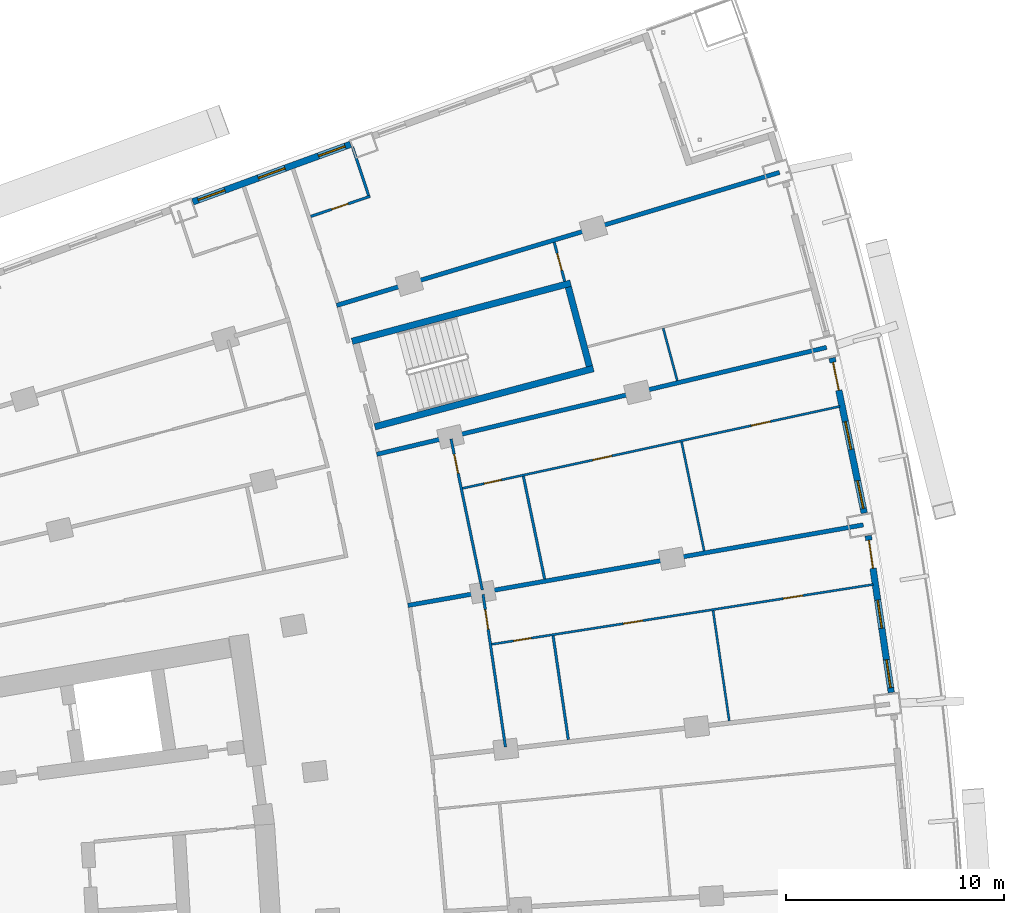
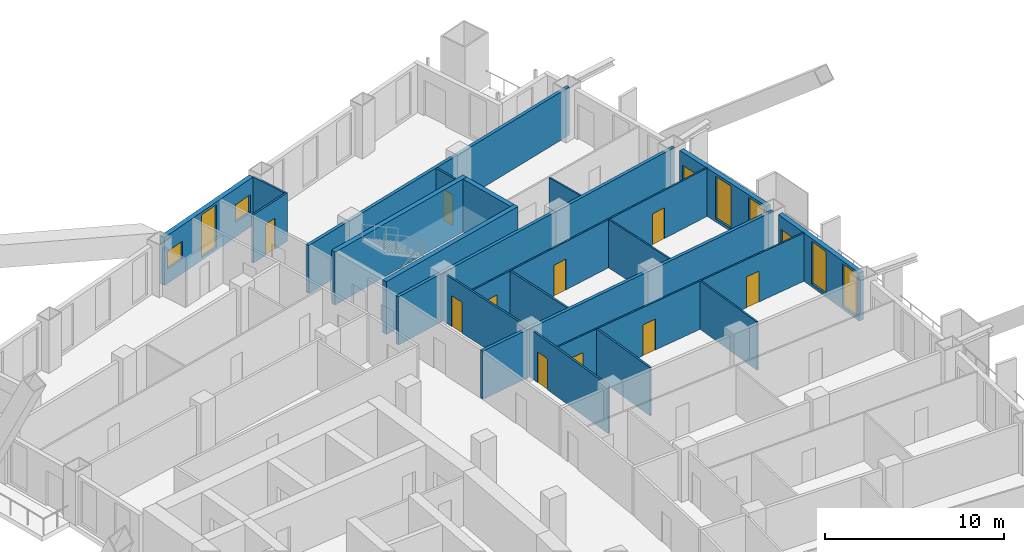
# One storey, part 20 of 25: 21 walls, 12 doors, 7 windows, 19 openings.
"""IFC4 building model written with IfcOpenShell, lengths in metres."""

from ifc_helpers import new_model, si_unit, direction, frame, frame_2d, origin, place, context, subcontext, project, spatial, rectangle, extrude, material, layer, layer_set, type_object, element, fill, save


model = new_model("IFC4")

# Units and contexts
model_context = context("Model", 3, precision=1e-05, world=origin(), true_north=direction((0.0, 1.0)))
body_context = subcontext(model_context, "Body", "Model", "MODEL_VIEW")
ifc_project = project(units=[si_unit("LENGTHUNIT", "METRE"), si_unit("AREAUNIT", "SQUARE_METRE"), si_unit("VOLUMEUNIT", "CUBIC_METRE"), si_unit("PLANEANGLEUNIT", "RADIAN"), si_unit("MASSUNIT", "GRAM", prefix="KILO")], contexts=[model_context])

# Site, building, storey
site_placement = place(None, origin())
site = spatial("IfcSite", under=ifc_project, at=site_placement, CompositionType="ELEMENT")
building_placement = place(site_placement, origin())
building = spatial("IfcBuilding", under=site, at=building_placement, Name="Alderwake Tower", CompositionType="ELEMENT")
storey_placement = place(building_placement, frame((0.0, 0.0, 64.39990234375)))
storey = spatial("IfcBuildingStorey", under=building, at=storey_placement, Name="L15", CompositionType="ELEMENT", Elevation=64.39990234375)

# Walls
ifc_material_1 = material(Name="Concrete C70/85", Category="concrete")
ifc_layer_1 = layer(ifc_material_1, 0.300048828125)
ifc_layer_set_1 = layer_set([ifc_layer_1], Name="Core wall stair enclosure 300 C70-85")
wall_type_1 = type_object("IfcWallType", Name="Core wall stair enclosure 300 C70-85", PredefinedType="SHEAR", material=ifc_layer_set_1)
for number, where, z_axis, x_axis, name in (
    (1, (36.71142578125, 94.182373046875, 0.0), (0.0, 0.0, 1.0), (0.966309214305, 0.257383958996, 0.0), "Core wall CW.082"),
    (2, (37.75390625, 90.268798828125, 0.0), (0.0, 0.0, 1.0), (0.966309214305, 0.257383958996, 0.0), "Core wall CW.084"),
):
    element("IfcWall", number, at=place(storey_placement, frame(where, z_axis=z_axis, x_axis=x_axis)), inside=storey, type_object=wall_type_1, Name=name, PredefinedType="SHEAR", context=body_context, shape_type="SweptSolid", body=[
        extrude(rectangle(XDim=10.360107421875, YDim=0.300048828125, at=frame_2d((5.18017578125, 0.0))), origin(), (0.0, 0.0, 1.0), 3.60009765625),
    ])
wall_1_placement = place(storey_placement, frame((47.581298828125, 93.041748046875, 0.0), z_axis=(0.0, 0.0, 1.0), x_axis=(-0.257366821694, 0.966313778796, 0.0)))
element("IfcWall", 3, at=wall_1_placement, inside=storey, type_object=wall_type_1, Name="Core wall CW.081", PredefinedType="SHEAR", context=body_context, shape_type="SweptSolid", body=[
    extrude(rectangle(XDim=3.749755859375, YDim=0.300048828125, at=frame_2d((1.875, 0.0))), origin(), (0.0, 0.0, 1.0), 3.60009765625),
])

# Wall, openings, door, windows
ifc_material_2 = material(Name="Precast concrete C50/60 spandrel panel", Category="concrete")
ifc_layer_2 = layer(ifc_material_2, 0.300048828125)
ifc_layer_set_2 = layer_set([ifc_layer_2], Name="External wall EW1 Precast concrete C50/60 spandrel")
wall_type_2 = type_object("IfcWallType", Name="External wall EW1 Precast concrete C50/60 spandrel", PredefinedType="SOLIDWALL", material=ifc_layer_set_2)
wall_2_placement = place(storey_placement, frame((61.405517578125, 78.1005859375, 0.0), z_axis=(0.0, 0.0, 1.0), x_axis=(-0.145323578953, 0.989384180892, 0.0)))
wall_2 = element("IfcWall", 4, at=wall_2_placement, inside=storey, type_object=wall_type_2, Name="External wall 19", PredefinedType="SOLIDWALL", context=body_context, shape_type="SweptSolid", body=[
    extrude(rectangle(XDim=7.25927734375, YDim=0.300048828125, at=frame_2d((3.629638671875, 0.0))), origin(), (0.0, 0.0, 1.0), 3.280029296875),
])
opening_1_placement = place(wall_2_placement, frame((0.215087890625, 0.0, 0.199951171875)))
opening_1 = element("IfcOpeningElement", 5, at=opening_1_placement, cuts=wall_2, Name="Opening W1", PredefinedType="OPENING", context=body_context, shape_type="SweptSolid", body=[
    extrude(rectangle(XDim=1.300048828125, YDim=2.89990234375, at=frame_2d((0.64990234375, 1.449951171875))), frame((0.0, 0.159912109375, 0.0), z_axis=(0.0, -1.0, 0.0), x_axis=(1.0, 0.0, 0.0)), (0.0, 0.0, 1.0), 0.320068359375),
])
opening_2_placement = place(wall_2_placement, frame((2.9794921875, 0.0, 0.199951171875)))
opening_2 = element("IfcOpeningElement", 6, at=opening_2_placement, cuts=wall_2, Name="Opening W1", PredefinedType="OPENING", context=body_context, shape_type="SweptSolid", body=[
    extrude(rectangle(XDim=1.300048828125, YDim=2.89990234375, at=frame_2d((0.64990234375, 1.449951171875))), frame((0.0, 0.159912109375, 0.0), z_axis=(0.0, -1.0, 0.0), x_axis=(1.0, 0.0, 0.0)), (0.0, 0.0, 1.0), 0.320068359375),
])
opening_3_placement = place(wall_2_placement, frame((5.744140625, 0.0, 0.0)))
opening_3 = element("IfcOpeningElement", 7, at=opening_3_placement, cuts=wall_2, Name="Opening D10", PredefinedType="OPENING", context=body_context, shape_type="SweptSolid", body=[
    extrude(rectangle(XDim=1.300048828125, YDim=2.39990234375, at=frame_2d((0.64990234375, 1.199951171875))), frame((0.0, 0.159912109375, 0.0), z_axis=(0.0, -1.0, 0.0), x_axis=(1.0, 0.0, 0.0)), (0.0, 0.0, 1.0), 0.320068359375),
])
ifc_material_3 = material(Name="Bronze tinted glass in aluminium frame", Category="aluminium")
door_type_1 = type_object("IfcDoorType", Name="Balcony door BD sliding", OperationType="SLIDING_TO_LEFT", PredefinedType="DOOR", material=ifc_material_3)
door_1_placement = place(opening_3_placement, origin())
door_1 = element("IfcDoor", 8, at=door_1_placement, inside=storey, type_object=door_type_1, Name="Door D10", OperationType="SLIDING_TO_LEFT", OverallHeight=2.39990234375, OverallWidth=1.300048828125, PredefinedType="DOOR", context=body_context, shape_type="SweptSolid", body=[
    extrude(rectangle(XDim=1.300048828125, YDim=2.39990234375, at=frame_2d((0.64990234375, 1.199951171875))), frame((0.0, 0.02490234375, 0.0), z_axis=(0.0, -1.0, 0.0), x_axis=(1.0, 0.0, 0.0)), (0.0, 0.0, 1.0), 0.050048828125),
])
fill(opening_3, door_1)
ifc_material_4 = material(Name="Bronze tinted glass in aluminium frame", Category="aluminium")
window_type_1 = type_object("IfcWindowType", Name="Window W1 tall fixed and vent", PartitioningType="DOUBLE_PANEL_VERTICAL", PredefinedType="WINDOW", material=ifc_material_4)
window_1_placement = place(opening_1_placement, origin())
window_1 = element("IfcWindow", 9, at=window_1_placement, inside=storey, type_object=window_type_1, Name="Window W1 tall fixed and vent", OverallHeight=2.89990234375, OverallWidth=1.300048828125, PartitioningType="DOUBLE_PANEL_VERTICAL", PredefinedType="WINDOW", context=body_context, shape_type="SweptSolid", body=[
    extrude(rectangle(XDim=1.300048828125, YDim=2.89990234375, at=frame_2d((0.64990234375, 1.449951171875))), frame((0.0, 0.030029296875, 0.0), z_axis=(0.0, -1.0, 0.0), x_axis=(1.0, 0.0, 0.0)), (0.0, 0.0, 1.0), 0.06005859375),
])
fill(opening_1, window_1)
window_2_placement = place(opening_2_placement, origin())
window_2 = element("IfcWindow", 10, at=window_2_placement, inside=storey, type_object=window_type_1, Name="Window W1 tall fixed and vent", OverallHeight=2.89990234375, OverallWidth=1.300048828125, PartitioningType="DOUBLE_PANEL_VERTICAL", PredefinedType="WINDOW", context=body_context, shape_type="SweptSolid", body=[
    extrude(rectangle(XDim=1.300048828125, YDim=2.89990234375, at=frame_2d((0.64990234375, 1.449951171875))), frame((0.0, 0.030029296875, 0.0), z_axis=(0.0, -1.0, 0.0), x_axis=(1.0, 0.0, 0.0)), (0.0, 0.0, 1.0), 0.06005859375),
])
fill(opening_2, window_2)

wall_3_placement = place(storey_placement, frame((60.16796875, 86.3154296875, 0.0), z_axis=(0.0, 0.0, 1.0), x_axis=(-0.20276685811, 0.97922704275, 0.0)))
wall_3 = element("IfcWall", 11, at=wall_3_placement, inside=storey, type_object=wall_type_2, Name="External wall 20", PredefinedType="SOLIDWALL", context=body_context, shape_type="SweptSolid", body=[
    extrude(rectangle(XDim=7.25927734375, YDim=0.300048828125, at=frame_2d((3.629638671875, 0.0))), origin(), (0.0, 0.0, 1.0), 3.280029296875),
])
opening_4_placement = place(wall_3_placement, frame((0.215087890625, 0.0, 0.199951171875)))
opening_4 = element("IfcOpeningElement", 12, at=opening_4_placement, cuts=wall_3, Name="Opening W1", PredefinedType="OPENING", context=body_context, shape_type="SweptSolid", body=[
    extrude(rectangle(XDim=1.300048828125, YDim=2.89990234375, at=frame_2d((0.64990234375, 1.449951171875))), frame((0.0, 0.159912109375, 0.0), z_axis=(0.0, -1.0, 0.0), x_axis=(1.0, 0.0, 0.0)), (0.0, 0.0, 1.0), 0.320068359375),
])
opening_5_placement = place(wall_3_placement, frame((2.9794921875, 0.0, 0.199951171875)))
opening_5 = element("IfcOpeningElement", 13, at=opening_5_placement, cuts=wall_3, Name="Opening W1", PredefinedType="OPENING", context=body_context, shape_type="SweptSolid", body=[
    extrude(rectangle(XDim=1.300048828125, YDim=2.89990234375, at=frame_2d((0.64990234375, 1.449951171875))), frame((0.0, 0.159912109375, 0.0), z_axis=(0.0, -1.0, 0.0), x_axis=(1.0, 0.0, 0.0)), (0.0, 0.0, 1.0), 0.320068359375),
])
opening_6_placement = place(wall_3_placement, frame((5.744140625, 0.0, 0.0)))
opening_6 = element("IfcOpeningElement", 14, at=opening_6_placement, cuts=wall_3, Name="Opening D11", PredefinedType="OPENING", context=body_context, shape_type="SweptSolid", body=[
    extrude(rectangle(XDim=1.300048828125, YDim=2.39990234375, at=frame_2d((0.64990234375, 1.199951171875))), frame((0.0, 0.159912109375, 0.0), z_axis=(0.0, -1.0, 0.0), x_axis=(1.0, 0.0, 0.0)), (0.0, 0.0, 1.0), 0.320068359375),
])
door_2_placement = place(opening_6_placement, origin())
door_2 = element("IfcDoor", 15, at=door_2_placement, inside=storey, type_object=door_type_1, Name="Door D11", OperationType="SLIDING_TO_LEFT", OverallHeight=2.39990234375, OverallWidth=1.300048828125, PredefinedType="DOOR", context=body_context, shape_type="SweptSolid", body=[
    extrude(rectangle(XDim=1.300048828125, YDim=2.39990234375, at=frame_2d((0.64990234375, 1.199951171875))), frame((0.0, 0.02490234375, 0.0), z_axis=(0.0, -1.0, 0.0), x_axis=(1.0, 0.0, 0.0)), (0.0, 0.0, 1.0), 0.050048828125),
])
fill(opening_6, door_2)
window_3_placement = place(opening_4_placement, origin())
window_3 = element("IfcWindow", 16, at=window_3_placement, inside=storey, type_object=window_type_1, Name="Window W1 tall fixed and vent", OverallHeight=2.89990234375, OverallWidth=1.300048828125, PartitioningType="DOUBLE_PANEL_VERTICAL", PredefinedType="WINDOW", context=body_context, shape_type="SweptSolid", body=[
    extrude(rectangle(XDim=1.300048828125, YDim=2.89990234375, at=frame_2d((0.64990234375, 1.449951171875))), frame((0.0, 0.030029296875, 0.0), z_axis=(0.0, -1.0, 0.0), x_axis=(1.0, 0.0, 0.0)), (0.0, 0.0, 1.0), 0.06005859375),
])
fill(opening_4, window_3)
window_4_placement = place(opening_5_placement, origin())
window_4 = element("IfcWindow", 17, at=window_4_placement, inside=storey, type_object=window_type_1, Name="Window W1 tall fixed and vent", OverallHeight=2.89990234375, OverallWidth=1.300048828125, PartitioningType="DOUBLE_PANEL_VERTICAL", PredefinedType="WINDOW", context=body_context, shape_type="SweptSolid", body=[
    extrude(rectangle(XDim=1.300048828125, YDim=2.89990234375, at=frame_2d((0.64990234375, 1.449951171875))), frame((0.0, 0.030029296875, 0.0), z_axis=(0.0, -1.0, 0.0), x_axis=(1.0, 0.0, 0.0)), (0.0, 0.0, 1.0), 0.06005859375),
])
fill(opening_5, window_4)

# Wall, openings, windows
ifc_material_5 = material(Name="Bronze metal cladding on lightweight framing")
ifc_layer_3 = layer(ifc_material_5, 0.300048828125)
ifc_layer_set_3 = layer_set([ifc_layer_3], Name="External wall EW2 bronze metal cladding")
wall_type_3 = type_object("IfcWallType", Name="External wall EW2 bronze metal cladding", PredefinedType="SOLIDWALL", material=ifc_layer_set_3)
wall_4_placement = place(storey_placement, frame((36.645751953125, 103.20654296875, 0.0), z_axis=(0.0, 0.0, 1.0), x_axis=(-0.93936753929, -0.342911980148, 0.0)))
wall_4 = element("IfcWall", 18, at=wall_4_placement, inside=storey, type_object=wall_type_3, Name="External wall 27", PredefinedType="SOLIDWALL", context=body_context, shape_type="SweptSolid", body=[
    extrude(rectangle(XDim=7.695556640625, YDim=0.300048828125, at=frame_2d((3.84765625, 0.0))), origin(), (0.0, 0.0, 1.0), 3.280029296875),
])
opening_7_placement = place(wall_4_placement, frame((0.264404296875, 0.0, 1.0)))
opening_7 = element("IfcOpeningElement", 19, at=opening_7_placement, cuts=wall_4, Name="Opening W2", PredefinedType="OPENING", context=body_context, shape_type="SweptSolid", body=[
    extrude(rectangle(XDim=1.300048828125, YDim=1.199951171875, at=frame_2d((0.64990234375, 0.60009765625))), frame((0.0, 0.159912109375, 0.0), z_axis=(0.0, -1.0, 0.0), x_axis=(1.0, 0.0, 0.0)), (0.0, 0.0, 1.0), 0.320068359375),
])
opening_8_placement = place(wall_4_placement, frame((3.197998046875, 0.0, 0.199951171875)))
opening_8 = element("IfcOpeningElement", 20, at=opening_8_placement, cuts=wall_4, Name="Opening W1", PredefinedType="OPENING", context=body_context, shape_type="SweptSolid", body=[
    extrude(rectangle(XDim=1.300048828125, YDim=2.89990234375, at=frame_2d((0.64990234375, 1.449951171875))), frame((0.0, 0.159912109375, 0.0), z_axis=(0.0, -1.0, 0.0), x_axis=(1.0, 0.0, 0.0)), (0.0, 0.0, 1.0), 0.320068359375),
])
opening_9_placement = place(wall_4_placement, frame((6.13134765625, 0.0, 1.0)))
opening_9 = element("IfcOpeningElement", 21, at=opening_9_placement, cuts=wall_4, Name="Opening W2", PredefinedType="OPENING", context=body_context, shape_type="SweptSolid", body=[
    extrude(rectangle(XDim=1.300048828125, YDim=1.199951171875, at=frame_2d((0.64990234375, 0.60009765625))), frame((0.0, 0.159912109375, 0.0), z_axis=(0.0, -1.0, 0.0), x_axis=(1.0, 0.0, 0.0)), (0.0, 0.0, 1.0), 0.320068359375),
])
window_5_placement = place(opening_8_placement, origin())
window_5 = element("IfcWindow", 22, at=window_5_placement, inside=storey, type_object=window_type_1, Name="Window W1 tall fixed and vent", OverallHeight=2.89990234375, OverallWidth=1.300048828125, PartitioningType="DOUBLE_PANEL_VERTICAL", PredefinedType="WINDOW", context=body_context, shape_type="SweptSolid", body=[
    extrude(rectangle(XDim=1.300048828125, YDim=2.89990234375, at=frame_2d((0.64990234375, 1.449951171875))), frame((0.0, 0.030029296875, 0.0), z_axis=(0.0, -1.0, 0.0), x_axis=(1.0, 0.0, 0.0)), (0.0, 0.0, 1.0), 0.06005859375),
])
fill(opening_8, window_5)
ifc_material_6 = material(Name="Bronze tinted glass in aluminium frame", Category="aluminium")
window_type_2 = type_object("IfcWindowType", Name="Window W2 kitchen and bath", PartitioningType="SINGLE_PANEL", PredefinedType="WINDOW", material=ifc_material_6)
window_6_placement = place(opening_7_placement, origin())
window_6 = element("IfcWindow", 23, at=window_6_placement, inside=storey, type_object=window_type_2, Name="Window W2 kitchen and bath", OverallHeight=1.199951171875, OverallWidth=1.300048828125, PartitioningType="SINGLE_PANEL", PredefinedType="WINDOW", context=body_context, shape_type="SweptSolid", body=[
    extrude(rectangle(XDim=1.300048828125, YDim=1.199951171875, at=frame_2d((0.64990234375, 0.60009765625))), frame((0.0, 0.030029296875, 0.0), z_axis=(0.0, -1.0, 0.0), x_axis=(1.0, 0.0, 0.0)), (0.0, 0.0, 1.0), 0.06005859375),
])
fill(opening_7, window_6)
window_7_placement = place(opening_9_placement, origin())
window_7 = element("IfcWindow", 24, at=window_7_placement, inside=storey, type_object=window_type_2, Name="Window W2 kitchen and bath", OverallHeight=1.199951171875, OverallWidth=1.300048828125, PartitioningType="SINGLE_PANEL", PredefinedType="WINDOW", context=body_context, shape_type="SweptSolid", body=[
    extrude(rectangle(XDim=1.300048828125, YDim=1.199951171875, at=frame_2d((0.64990234375, 0.60009765625))), frame((0.0, 0.030029296875, 0.0), z_axis=(0.0, -1.0, 0.0), x_axis=(1.0, 0.0, 0.0)), (0.0, 0.0, 1.0), 0.06005859375),
])
fill(opening_9, window_7)

# Walls
ifc_material_7 = material(Name="Dense block masonry wall", Category="masonry")
ifc_layer_4 = layer(ifc_material_7, 0.199951171875)
ifc_layer_set_4 = layer_set([ifc_layer_4], Name="Party wall 200")
wall_type_4 = type_object("IfcWallType", Name="Party wall 200", PredefinedType="SOLIDWALL", material=ifc_layer_set_4)
wall_5_placement = place(storey_placement, frame((37.839111328125, 89.006591796875, 0.0), z_axis=(0.0, 0.0, 1.0), x_axis=(0.972904338918, 0.23120801741, 0.0)))
element("IfcWall", 25, at=wall_5_placement, inside=storey, type_object=wall_type_4, Name="WL/L15/W07", PredefinedType="SOLIDWALL", context=body_context, shape_type="SweptSolid", body=[
    extrude(rectangle(XDim=21.177734375, YDim=0.199951171875, at=frame_2d((10.5888671875, 0.0))), origin(), (0.0, 0.0, 1.0), 3.280029296875),
])
wall_6_placement = place(storey_placement, frame((56.2890625, 101.9189453125, 0.0), z_axis=(0.0, 0.0, 1.0), x_axis=(-0.95773994747, -0.287635521137, 0.0)))
element("IfcWall", 26, at=wall_6_placement, inside=storey, type_object=wall_type_4, Name="WL/L15/W09", PredefinedType="SOLIDWALL", context=body_context, shape_type="SweptSolid", body=[
    extrude(rectangle(XDim=21.1796875, YDim=0.199951171875, at=frame_2d((10.58984375, 0.0))), origin(), (0.0, 0.0, 1.0), 3.280029296875),
])
wall_7_placement = place(storey_placement, frame((60.1259765625, 85.77587890625, 0.0), z_axis=(0.0, 0.0, 1.0), x_axis=(-0.984717809282, -0.174157503663, 0.0)))
element("IfcWall", 27, at=wall_7_placement, inside=storey, type_object=wall_type_4, Name="WL/L15/W11", PredefinedType="SOLIDWALL", context=body_context, shape_type="SweptSolid", body=[
    extrude(rectangle(XDim=21.180419921875, YDim=0.199951171875, at=frame_2d((10.59033203125, 0.0))), origin(), (0.0, 0.0, 1.0), 3.280029296875),
])

# Wall, openings, doors
ifc_material_8 = material(Name="Gypsum board on metal studs")
ifc_layer_5 = layer(ifc_material_8, 0.10009765625)
ifc_layer_set_5 = layer_set([ifc_layer_5], Name="Unit partition 100")
wall_type_5 = type_object("IfcWallType", Name="Unit partition 100", PredefinedType="PARTITIONING", material=ifc_layer_set_5)
wall_8_placement = place(storey_placement, frame((59.054931640625, 91.202880859375, 0.0), z_axis=(0.0, 0.0, 1.0), x_axis=(-0.977230284705, -0.212181456906, 0.0)))
wall_8 = element("IfcWall", 28, at=wall_8_placement, inside=storey, type_object=wall_type_5, Name="WL/L15/W75", PredefinedType="PARTITIONING", context=body_context, shape_type="SweptSolid", body=[
    extrude(rectangle(XDim=17.683837890625, YDim=0.10009765625, at=frame_2d((8.841796875, 0.0))), origin(), (0.0, 0.0, 1.0), 3.280029296875),
])
opening_10_placement = place(wall_8_placement, frame((10.688720703125, 0.0, 0.0)))
opening_10 = element("IfcOpeningElement", 29, at=opening_10_placement, cuts=wall_8, Name="Opening R04-U11.1", PredefinedType="OPENING", context=body_context, shape_type="SweptSolid", body=[
    extrude(rectangle(XDim=0.89990234375, YDim=2.10009765625, at=frame_2d((0.449951171875, 1.050048828125))), frame((0.0, 0.06005859375, 0.0), z_axis=(0.0, -1.0, 0.0), x_axis=(1.0, 0.0, 0.0)), (0.0, 0.0, 1.0), 0.1201171875),
])
opening_11_placement = place(wall_8_placement, frame((15.86474609375, 0.0, 0.0)))
opening_11 = element("IfcOpeningElement", 30, at=opening_11_placement, cuts=wall_8, Name="Opening R04-U11.4", PredefinedType="OPENING", context=body_context, shape_type="SweptSolid", body=[
    extrude(rectangle(XDim=0.800048828125, YDim=2.10009765625, at=frame_2d((0.39990234375, 1.050048828125))), frame((0.0, 0.06005859375, 0.0), z_axis=(0.0, -1.0, 0.0), x_axis=(1.0, 0.0, 0.0)), (0.0, 0.0, 1.0), 0.1201171875),
])
opening_12_placement = place(wall_8_placement, frame((3.26611328125, 0.0, 0.0)))
opening_12 = element("IfcOpeningElement", 31, at=opening_12_placement, cuts=wall_8, Name="Opening R04-U11.5", PredefinedType="OPENING", context=body_context, shape_type="SweptSolid", body=[
    extrude(rectangle(XDim=0.89990234375, YDim=2.10009765625, at=frame_2d((0.449951171875, 1.050048828125))), frame((0.0, 0.06005859375, 0.0), z_axis=(0.0, -1.0, 0.0), x_axis=(1.0, 0.0, 0.0)), (0.0, 0.0, 1.0), 0.1201171875),
])
ifc_material_9 = material(Name="Painted timber leaf", Category="wood")
door_type_2 = type_object("IfcDoorType", Name="Bathroom door 800", OperationType="SINGLE_SWING_LEFT", PredefinedType="DOOR", material=ifc_material_9)
door_3_placement = place(opening_11_placement, origin())
door_3 = element("IfcDoor", 32, at=door_3_placement, inside=storey, type_object=door_type_2, Name="DR/L15/U11.4", OperationType="SINGLE_SWING_LEFT", OverallHeight=2.10009765625, OverallWidth=0.800048828125, PredefinedType="DOOR", context=body_context, shape_type="SweptSolid", body=[
    extrude(rectangle(XDim=0.800048828125, YDim=2.10009765625, at=frame_2d((0.39990234375, 1.050048828125))), frame((0.0, 0.02490234375, 0.0), z_axis=(0.0, -1.0, 0.0), x_axis=(1.0, 0.0, 0.0)), (0.0, 0.0, 1.0), 0.050048828125),
])
fill(opening_11, door_3)
ifc_material_10 = material(Name="Painted timber leaf", Category="wood")
door_type_3 = type_object("IfcDoorType", Name="Room door 900", OperationType="SINGLE_SWING_LEFT", PredefinedType="DOOR", material=ifc_material_10)
door_4_placement = place(opening_10_placement, origin())
door_4 = element("IfcDoor", 33, at=door_4_placement, inside=storey, type_object=door_type_3, Name="DR/L15/U11.1", OperationType="SINGLE_SWING_LEFT", OverallHeight=2.10009765625, OverallWidth=0.89990234375, PredefinedType="DOOR", context=body_context, shape_type="SweptSolid", body=[
    extrude(rectangle(XDim=0.89990234375, YDim=2.10009765625, at=frame_2d((0.449951171875, 1.050048828125))), frame((0.0, 0.02490234375, 0.0), z_axis=(0.0, -1.0, 0.0), x_axis=(1.0, 0.0, 0.0)), (0.0, 0.0, 1.0), 0.050048828125),
])
fill(opening_10, door_4)
door_5_placement = place(opening_12_placement, origin())
door_5 = element("IfcDoor", 34, at=door_5_placement, inside=storey, type_object=door_type_3, Name="DR/L15/U11.5", OperationType="SINGLE_SWING_LEFT", OverallHeight=2.10009765625, OverallWidth=0.89990234375, PredefinedType="DOOR", context=body_context, shape_type="SweptSolid", body=[
    extrude(rectangle(XDim=0.89990234375, YDim=2.10009765625, at=frame_2d((0.449951171875, 1.050048828125))), frame((0.0, 0.02490234375, 0.0), z_axis=(0.0, -1.0, 0.0), x_axis=(1.0, 0.0, 0.0)), (0.0, 0.0, 1.0), 0.050048828125),
])
fill(opening_12, door_5)

wall_9_placement = place(storey_placement, frame((60.5791015625, 83.0458984375, 0.0), z_axis=(0.0, 0.0, 1.0), x_axis=(-0.987935311917, -0.154867102602, 0.0)))
wall_9 = element("IfcWall", 35, at=wall_9_placement, inside=storey, type_object=wall_type_5, Name="WL/L15/W76", PredefinedType="PARTITIONING", context=body_context, shape_type="SweptSolid", body=[
    extrude(rectangle(XDim=17.68310546875, YDim=0.10009765625, at=frame_2d((8.841552734375, 0.0))), origin(), (0.0, 0.0, 1.0), 3.280029296875),
])
opening_13_placement = place(wall_9_placement, frame((10.6884765625, 0.0, 0.0)))
opening_13 = element("IfcOpeningElement", 36, at=opening_13_placement, cuts=wall_9, Name="Opening R04-U10.1", PredefinedType="OPENING", context=body_context, shape_type="SweptSolid", body=[
    extrude(rectangle(XDim=0.89990234375, YDim=2.10009765625, at=frame_2d((0.449951171875, 1.050048828125))), frame((0.0, 0.06005859375, 0.0), z_axis=(0.0, -1.0, 0.0), x_axis=(1.0, 0.0, 0.0)), (0.0, 0.0, 1.0), 0.1201171875),
])
opening_14_placement = place(wall_9_placement, frame((15.8642578125, 0.0, 0.0)))
opening_14 = element("IfcOpeningElement", 37, at=opening_14_placement, cuts=wall_9, Name="Opening R04-U10.4", PredefinedType="OPENING", context=body_context, shape_type="SweptSolid", body=[
    extrude(rectangle(XDim=0.800048828125, YDim=2.10009765625, at=frame_2d((0.39990234375, 1.050048828125))), frame((0.0, 0.06005859375, 0.0), z_axis=(0.0, -1.0, 0.0), x_axis=(1.0, 0.0, 0.0)), (0.0, 0.0, 1.0), 0.1201171875),
])
opening_15_placement = place(wall_9_placement, frame((3.26611328125, 0.0, 0.0)))
opening_15 = element("IfcOpeningElement", 38, at=opening_15_placement, cuts=wall_9, Name="Opening R04-U10.5", PredefinedType="OPENING", context=body_context, shape_type="SweptSolid", body=[
    extrude(rectangle(XDim=0.89990234375, YDim=2.10009765625, at=frame_2d((0.449951171875, 1.050048828125))), frame((0.0, 0.06005859375, 0.0), z_axis=(0.0, -1.0, 0.0), x_axis=(1.0, 0.0, 0.0)), (0.0, 0.0, 1.0), 0.1201171875),
])
door_6_placement = place(opening_14_placement, origin())
door_6 = element("IfcDoor", 39, at=door_6_placement, inside=storey, type_object=door_type_2, Name="DR/L15/U10.4", OperationType="SINGLE_SWING_LEFT", OverallHeight=2.10009765625, OverallWidth=0.800048828125, PredefinedType="DOOR", context=body_context, shape_type="SweptSolid", body=[
    extrude(rectangle(XDim=0.800048828125, YDim=2.10009765625, at=frame_2d((0.39990234375, 1.050048828125))), frame((0.0, 0.02490234375, 0.0), z_axis=(0.0, -1.0, 0.0), x_axis=(1.0, 0.0, 0.0)), (0.0, 0.0, 1.0), 0.050048828125),
])
fill(opening_14, door_6)
door_7_placement = place(opening_13_placement, origin())
door_7 = element("IfcDoor", 40, at=door_7_placement, inside=storey, type_object=door_type_3, Name="DR/L15/U10.1", OperationType="SINGLE_SWING_LEFT", OverallHeight=2.10009765625, OverallWidth=0.89990234375, PredefinedType="DOOR", context=body_context, shape_type="SweptSolid", body=[
    extrude(rectangle(XDim=0.89990234375, YDim=2.10009765625, at=frame_2d((0.449951171875, 1.050048828125))), frame((0.0, 0.02490234375, 0.0), z_axis=(0.0, -1.0, 0.0), x_axis=(1.0, 0.0, 0.0)), (0.0, 0.0, 1.0), 0.050048828125),
])
fill(opening_13, door_7)
door_8_placement = place(opening_15_placement, origin())
door_8 = element("IfcDoor", 41, at=door_8_placement, inside=storey, type_object=door_type_3, Name="DR/L15/U10.5", OperationType="SINGLE_SWING_LEFT", OverallHeight=2.10009765625, OverallWidth=0.89990234375, PredefinedType="DOOR", context=body_context, shape_type="SweptSolid", body=[
    extrude(rectangle(XDim=0.89990234375, YDim=2.10009765625, at=frame_2d((0.449951171875, 1.050048828125))), frame((0.0, 0.02490234375, 0.0), z_axis=(0.0, -1.0, 0.0), x_axis=(1.0, 0.0, 0.0)), (0.0, 0.0, 1.0), 0.050048828125),
])
fill(opening_15, door_8)

# Walls
wall_10_placement = place(storey_placement, frame((51.60693359375, 92.379638671875, 0.0), z_axis=(0.0, 0.0, 1.0), x_axis=(-0.259952302089, 0.965621458253, 0.0)))
element("IfcWall", 42, at=wall_10_placement, inside=storey, type_object=wall_type_5, Name="WL/L15/W86", PredefinedType="PARTITIONING", context=body_context, shape_type="SweptSolid", body=[
    extrude(rectangle(XDim=2.481201171875, YDim=0.10009765625, at=frame_2d((1.24072265625, 0.0))), origin(), (0.0, 0.0, 1.0), 3.280029296875),
])
wall_11_placement = place(storey_placement, frame((52.836669921875, 84.5869140625, 0.0), z_axis=(0.0, 0.0, 1.0), x_axis=(-0.202944458238, 0.9791902506, 0.0)))
element("IfcWall", 43, at=wall_11_placement, inside=storey, type_object=wall_type_5, Name="WL/L15/W87", PredefinedType="PARTITIONING", context=body_context, shape_type="SweptSolid", body=[
    extrude(rectangle(XDim=5.098388671875, YDim=0.10009765625, at=frame_2d((2.54931640625, 0.0))), origin(), (0.0, 0.0, 1.0), 3.280029296875),
])
wall_12_placement = place(storey_placement, frame((53.985595703125, 76.802978515625, 0.0), z_axis=(0.0, 0.0, 1.0), x_axis=(-0.145270530609, 0.989391971332, 0.0)))
element("IfcWall", 44, at=wall_12_placement, inside=storey, type_object=wall_type_5, Name="WL/L15/W88", PredefinedType="PARTITIONING", context=body_context, shape_type="SweptSolid", body=[
    extrude(rectangle(XDim=5.095458984375, YDim=0.10009765625, at=frame_2d((2.5478515625, 0.0))), origin(), (0.0, 0.0, 1.0), 3.280029296875),
])

# Wall, opening, door
ifc_material_11 = material(Name="Moisture resistant gypsum board on metal studs")
ifc_layer_6 = layer(ifc_material_11, 0.1201171875)
ifc_layer_set_6 = layer_set([ifc_layer_6], Name="Wet room partition 120")
wall_type_6 = type_object("IfcWallType", Name="Wet room partition 120", PredefinedType="PARTITIONING", material=ifc_layer_set_6)
wall_13_placement = place(storey_placement, frame((34.81884765625, 99.901611328125, 0.0), z_axis=(0.0, 0.0, 1.0), x_axis=(0.947119631015, 0.32088067026, 0.0)))
wall_13 = element("IfcWall", 45, at=wall_13_placement, inside=storey, type_object=wall_type_6, Name="WL/L15/W50", PredefinedType="PARTITIONING", context=body_context, shape_type="SweptSolid", body=[
    extrude(rectangle(XDim=2.878173828125, YDim=0.1201171875, at=frame_2d((1.43896484375, 0.0))), origin(), (0.0, 0.0, 1.0), 3.280029296875),
])
opening_16_placement = place(wall_13_placement, frame((1.009765625, 0.0, 0.0)))
opening_16 = element("IfcOpeningElement", 46, at=opening_16_placement, cuts=wall_13, Name="Opening R04-U04.2", PredefinedType="OPENING", context=body_context, shape_type="SweptSolid", body=[
    extrude(rectangle(XDim=0.800048828125, YDim=2.10009765625, at=frame_2d((0.39990234375, 1.050048828125))), frame((0.0, 0.070068359375, 0.0), z_axis=(0.0, -1.0, 0.0), x_axis=(1.0, 0.0, 0.0)), (0.0, 0.0, 1.0), 0.14013671875),
])
door_9_placement = place(opening_16_placement, origin())
door_9 = element("IfcDoor", 47, at=door_9_placement, inside=storey, type_object=door_type_2, Name="DR/L15/U04.2", OperationType="SINGLE_SWING_LEFT", OverallHeight=2.10009765625, OverallWidth=0.800048828125, PredefinedType="DOOR", context=body_context, shape_type="SweptSolid", body=[
    extrude(rectangle(XDim=0.800048828125, YDim=2.10009765625, at=frame_2d((0.39990234375, 1.050048828125))), frame((0.0, 0.02490234375, 0.0), z_axis=(0.0, -1.0, 0.0), x_axis=(1.0, 0.0, 0.0)), (0.0, 0.0, 1.0), 0.050048828125),
])
fill(opening_16, door_9)

# Wall
wall_14_placement = place(storey_placement, frame((37.468994140625, 100.863037109375, 0.0), z_axis=(0.0, 0.0, 1.0), x_axis=(-0.314251248963, 0.94933985091, 0.0)))
element("IfcWall", 48, at=wall_14_placement, inside=storey, type_object=wall_type_6, Name="WL/L15/W53", PredefinedType="PARTITIONING", context=body_context, shape_type="SweptSolid", body=[
    extrude(rectangle(XDim=2.33544921875, YDim=0.1201171875, at=frame_2d((1.167724609375, 0.0))), origin(), (0.0, 0.0, 1.0), 3.280029296875),
])

# Wall, opening, door
wall_15_placement = place(storey_placement, frame((41.243408203125, 89.712890625, 0.0), z_axis=(0.0, 0.0, 1.0), x_axis=(0.202695854643, -0.979241742631, 0.0)))
wall_15 = element("IfcWall", 49, at=wall_15_placement, inside=storey, type_object=wall_type_6, Name="WL/L15/W55", PredefinedType="PARTITIONING", context=body_context, shape_type="SweptSolid", body=[
    extrude(rectangle(XDim=7.066650390625, YDim=0.1201171875, at=frame_2d((3.533203125, 0.0))), origin(), (0.0, 0.0, 1.0), 3.280029296875),
])
opening_17_placement = place(wall_15_placement, frame((0.711669921875, 0.0, 0.0)))
opening_17 = element("IfcOpeningElement", 50, at=opening_17_placement, cuts=wall_15, Name="Opening R04-U11.3", PredefinedType="OPENING", context=body_context, shape_type="SweptSolid", body=[
    extrude(rectangle(XDim=0.89990234375, YDim=2.10009765625, at=frame_2d((0.449951171875, 1.050048828125))), frame((0.0, 0.070068359375, 0.0), z_axis=(0.0, -1.0, 0.0), x_axis=(1.0, 0.0, 0.0)), (0.0, 0.0, 1.0), 0.14013671875),
])
door_10_placement = place(opening_17_placement, origin())
door_10 = element("IfcDoor", 51, at=door_10_placement, inside=storey, type_object=door_type_3, Name="DR/L15/U11.3", OperationType="SINGLE_SWING_LEFT", OverallHeight=2.10009765625, OverallWidth=0.89990234375, PredefinedType="DOOR", context=body_context, shape_type="SweptSolid", body=[
    extrude(rectangle(XDim=0.89990234375, YDim=2.10009765625, at=frame_2d((0.449951171875, 1.050048828125))), frame((0.0, 0.02490234375, 0.0), z_axis=(0.0, -1.0, 0.0), x_axis=(1.0, 0.0, 0.0)), (0.0, 0.0, 1.0), 0.050048828125),
])
fill(opening_17, door_10)

wall_16_placement = place(storey_placement, frame((42.71044921875, 82.595947265625, 0.0), z_axis=(0.0, 0.0, 1.0), x_axis=(0.145317973425, -0.989385004232, 0.0)))
wall_16 = element("IfcWall", 52, at=wall_16_placement, inside=storey, type_object=wall_type_6, Name="WL/L15/W57", PredefinedType="PARTITIONING", context=body_context, shape_type="SweptSolid", body=[
    extrude(rectangle(XDim=7.06787109375, YDim=0.1201171875, at=frame_2d((3.533935546875, 0.0))), origin(), (0.0, 0.0, 1.0), 3.280029296875),
])
opening_18_placement = place(wall_16_placement, frame((0.7119140625, 0.0, 0.0)))
opening_18 = element("IfcOpeningElement", 53, at=opening_18_placement, cuts=wall_16, Name="Opening R04-U10.3", PredefinedType="OPENING", context=body_context, shape_type="SweptSolid", body=[
    extrude(rectangle(XDim=0.89990234375, YDim=2.10009765625, at=frame_2d((0.449951171875, 1.050048828125))), frame((0.0, 0.070068359375, 0.0), z_axis=(0.0, -1.0, 0.0), x_axis=(1.0, 0.0, 0.0)), (0.0, 0.0, 1.0), 0.14013671875),
])
door_11_placement = place(opening_18_placement, origin())
door_11 = element("IfcDoor", 54, at=door_11_placement, inside=storey, type_object=door_type_3, Name="DR/L15/U10.3", OperationType="SINGLE_SWING_LEFT", OverallHeight=2.10009765625, OverallWidth=0.89990234375, PredefinedType="DOOR", context=body_context, shape_type="SweptSolid", body=[
    extrude(rectangle(XDim=0.89990234375, YDim=2.10009765625, at=frame_2d((0.449951171875, 1.050048828125))), frame((0.0, 0.02490234375, 0.0), z_axis=(0.0, -1.0, 0.0), x_axis=(1.0, 0.0, 0.0)), (0.0, 0.0, 1.0), 0.050048828125),
])
fill(opening_18, door_11)

# Wall
wall_17_placement = place(storey_placement, frame((45.53173828125, 83.297119140625, 0.0), z_axis=(0.0, 0.0, 1.0), x_axis=(-0.202763480801, 0.979227742077, 0.0)))
element("IfcWall", 55, at=wall_17_placement, inside=storey, type_object=wall_type_6, Name="WL/L15/W62", PredefinedType="PARTITIONING", context=body_context, shape_type="SweptSolid", body=[
    extrude(rectangle(XDim=4.806640625, YDim=0.1201171875, at=frame_2d((2.4033203125, 0.0))), origin(), (0.0, 0.0, 1.0), 3.280029296875),
])

# Wall, opening, door
wall_18_placement = place(storey_placement, frame((46.448974609375, 96.929931640625, 0.0), z_axis=(0.0, 0.0, 1.0), x_axis=(-0.258764710752, 0.965940383497, 0.0)))
wall_18 = element("IfcWall", 56, at=wall_18_placement, inside=storey, type_object=wall_type_6, Name="WL/L15/W63", PredefinedType="PARTITIONING", context=body_context, shape_type="SweptSolid", body=[
    extrude(rectangle(XDim=1.847412109375, YDim=0.1201171875, at=frame_2d((0.923828125, 0.0))), origin(), (0.0, 0.0, 1.0), 3.280029296875),
])
opening_19_placement = place(wall_18_placement, frame((0.524169921875, 0.0, 0.0)))
opening_19 = element("IfcOpeningElement", 57, at=opening_19_placement, cuts=wall_18, Name="Opening R04-U02.4", PredefinedType="OPENING", context=body_context, shape_type="SweptSolid", body=[
    extrude(rectangle(XDim=0.800048828125, YDim=2.10009765625, at=frame_2d((0.39990234375, 1.050048828125))), frame((0.0, 0.070068359375, 0.0), z_axis=(0.0, -1.0, 0.0), x_axis=(1.0, 0.0, 0.0)), (0.0, 0.0, 1.0), 0.14013671875),
])
door_12_placement = place(opening_19_placement, origin())
door_12 = element("IfcDoor", 58, at=door_12_placement, inside=storey, type_object=door_type_2, Name="DR/L15/U02.4", OperationType="SINGLE_SWING_LEFT", OverallHeight=2.10009765625, OverallWidth=0.800048828125, PredefinedType="DOOR", context=body_context, shape_type="SweptSolid", body=[
    extrude(rectangle(XDim=0.800048828125, YDim=2.10009765625, at=frame_2d((0.39990234375, 1.050048828125))), frame((0.0, 0.02490234375, 0.0), z_axis=(0.0, -1.0, 0.0), x_axis=(1.0, 0.0, 0.0)), (0.0, 0.0, 1.0), 0.050048828125),
])
fill(opening_19, door_12)

# Wall
wall_19_placement = place(storey_placement, frame((46.617431640625, 75.93896484375, 0.0), z_axis=(0.0, 0.0, 1.0), x_axis=(-0.145238137818, 0.989396726962, 0.0)))
element("IfcWall", 59, at=wall_19_placement, inside=storey, type_object=wall_type_6, Name="WL/L15/W65", PredefinedType="PARTITIONING", context=body_context, shape_type="SweptSolid", body=[
    extrude(rectangle(XDim=4.8076171875, YDim=0.1201171875, at=frame_2d((2.40380859375, 0.0))), origin(), (0.0, 0.0, 1.0), 3.280029296875),
])

save(model, "model.ifc")
